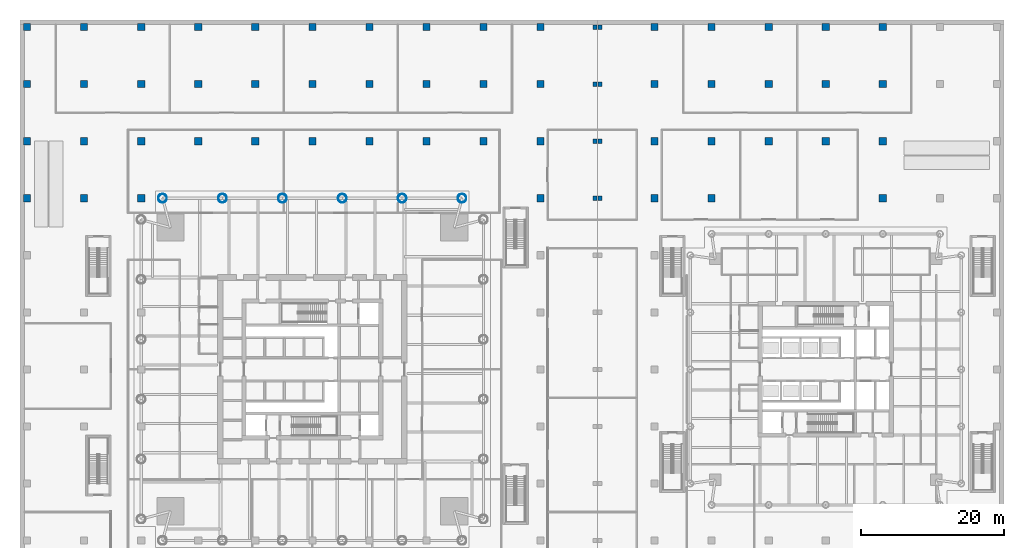
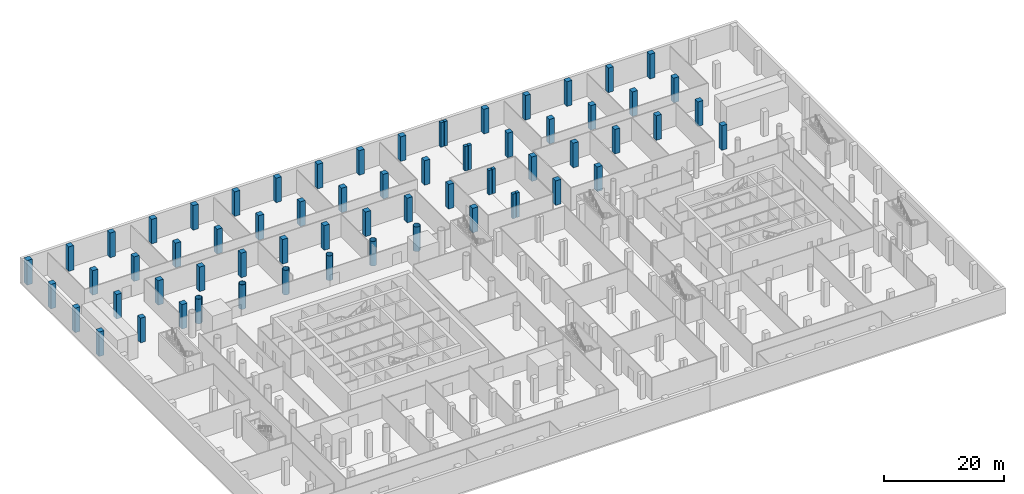
# One storey, part 3 of 22: 66 columns.
"""IFC4 building model written with IfcOpenShell, lengths in metres."""

import ifcopenshell
import ifcopenshell.guid

model = None  # the IFC model being written
_history = None  # IfcOwnerHistory: only IFC2X3 demands one
_inside = {}  # id of a spatial element -> (the spatial element, [elements in it])
_under = {}  # id of a project, library or spatial element -> (it, [spatial elements below it])
_declared = {}  # id of a project -> (the project, [libraries it declares])
_typed = {}  # id of a type object -> (the type object, [elements of that type])
_made_of = {}  # id of a material, layer set ... -> (it, [elements and type objects made of it])


def new_model(schema):
    """Start an empty IFC model of exactly this schema.

    Asked for "IFC4X3", IfcOpenShell would pick the latest addendum, in which some entities
    have other attributes; the version numbers below select the first issue.
    IFC2X3 requires an IfcOwnerHistory on every rooted entity: one is made here for all.
    """
    global model, _history
    if schema == "IFC4X3":
        model = ifcopenshell.file(schema_version=(4, 3, 0, 0))
    else:
        model = ifcopenshell.file(schema=schema)
    _inside.clear()
    _under.clear()
    _declared.clear()
    _typed.clear()
    _made_of.clear()
    _history = None
    if model.schema == "IFC2X3":
        org = make("IfcOrganization", Name="unknown")
        user = make(
            "IfcPersonAndOrganization",
            ThePerson=make("IfcPerson", FamilyName="unknown"),
            TheOrganization=org,
        )
        app = make(
            "IfcApplication",
            ApplicationDeveloper=org,
            Version="unknown",
            ApplicationFullName="unknown",
            ApplicationIdentifier="unknown",
        )
        _history = make(
            "IfcOwnerHistory",
            OwningUser=user,
            OwningApplication=app,
            ChangeAction="ADDED",
            CreationDate=0,
        )
    return model


def make(cls, **values):
    """One entity of the class cls with the attributes given. An attribute that is None is left unset."""
    return model.create_entity(
        cls, **{name: value for name, value in values.items() if value is not None}
    )


def rooted(cls, **values):
    """An entity with a GlobalId (a new one), such as an element, a storey or a relation."""
    return make(cls, GlobalId=ifcopenshell.guid.new(), OwnerHistory=_history, **values)


def si_unit(unit_type, name, prefix=None):
    """IfcSIUnit, for example si_unit("LENGTHUNIT", "METRE", prefix="MILLI")."""
    return make("IfcSIUnit", UnitType=unit_type, Prefix=prefix, Name=name)


def assignment(units):
    """IfcUnitAssignment: the units of a project."""
    return None if units is None else make("IfcUnitAssignment", Units=units)


def point(xyz):
    """IfcCartesianPoint."""
    return None if xyz is None else make("IfcCartesianPoint", Coordinates=xyz)


def direction(xyz):
    """IfcDirection."""
    return None if xyz is None else make("IfcDirection", DirectionRatios=xyz)


def frame(location, z_axis=None, x_axis=None):
    """IfcAxis2Placement3D, a coordinate frame: its origin and axes. An axis left out is left unset."""
    return make(
        "IfcAxis2Placement3D",
        Location=point(location),
        Axis=direction(z_axis),
        RefDirection=direction(x_axis),
    )


def frame_2d(location, x_axis=None):
    """IfcAxis2Placement2D, a coordinate frame in the plane: its origin and x axis."""
    return make(
        "IfcAxis2Placement2D", Location=point(location), RefDirection=direction(x_axis)
    )


def origin():
    """The frame at (0, 0, 0) with its axes left unset."""
    return frame((0.0, 0.0, 0.0))


def origin_2d():
    """The frame at (0, 0) in the plane with its x axis left unset."""
    return frame_2d((0.0, 0.0))


def place(relative_to, where):
    """IfcLocalPlacement: puts the frame where relative to a parent placement (None: the world)."""
    return make(
        "IfcLocalPlacement", PlacementRelTo=relative_to, RelativePlacement=where
    )


def context(
    kind, dimensions, precision=None, world=None, true_north=None, identifier=None
):
    """IfcGeometricRepresentationContext, for example the 3D "Model" context."""
    return make(
        "IfcGeometricRepresentationContext",
        ContextIdentifier=identifier,
        ContextType=kind,
        CoordinateSpaceDimension=dimensions,
        Precision=precision,
        WorldCoordinateSystem=world,
        TrueNorth=true_north,
    )


def subcontext(parent, identifier, kind, view, scale=None):
    """IfcGeometricRepresentationSubContext, for example "Body" below "Model"."""
    return make(
        "IfcGeometricRepresentationSubContext",
        ContextIdentifier=identifier,
        ContextType=kind,
        ParentContext=parent,
        TargetScale=scale,
        TargetView=view,
    )


def project(units=None, contexts=None):
    """IfcProject with its units and contexts."""
    return rooted(
        "IfcProject",
        Name="project",
        RepresentationContexts=contexts,
        UnitsInContext=assignment(units),
    )


def spatial(cls, under=None, at=None, **own):
    """A site, building, storey or space (cls), placed at a placement, below another one or the project."""
    s = rooted(cls, ObjectPlacement=at, **own)
    if under is not None:
        _under.setdefault(under.id(), (under, []))[1].append(s)
    return s


def profile(cls, at=None, kind="AREA", **sizes):
    """A parametric profile (cls). Its sizes go by their IFC names, for example OverallWidth=200.0."""
    return make(cls, ProfileType=kind, Position=at, **sizes)


def rectangle(**sizes):
    """IfcRectangleProfileDef."""
    return profile("IfcRectangleProfileDef", **sizes)


def hollow_circle(**sizes):
    """IfcCircleHollowProfileDef."""
    return profile("IfcCircleHollowProfileDef", **sizes)


def extrude(swept, where, along, depth):
    """IfcExtrudedAreaSolid: the profile swept, set in the frame where, extruded along a direction by depth."""
    return make(
        "IfcExtrudedAreaSolid",
        SweptArea=swept,
        Position=where,
        ExtrudedDirection=direction(along),
        Depth=depth,
    )


def shape(context_of_items, identifier, shape_type, items):
    """IfcShapeRepresentation: the items that make up one representation, for example the "Body"."""
    return make(
        "IfcShapeRepresentation",
        ContextOfItems=context_of_items,
        RepresentationIdentifier=identifier,
        RepresentationType=shape_type,
        Items=items,
    )


def material(Name=None, Category=None):
    """IfcMaterial."""
    return make("IfcMaterial", Name=Name, Category=Category)


def material_profile(
    of_material, cross_section, Name=None, Category=None, Priority=None
):
    """IfcMaterialProfile: a cross section and its material."""
    return make(
        "IfcMaterialProfile",
        Name=Name,
        Material=of_material,
        Profile=cross_section,
        Priority=Priority,
        Category=Category,
    )


def profile_set(profiles, Name=None, composite=None):
    """IfcMaterialProfileSet."""
    return make(
        "IfcMaterialProfileSet",
        Name=Name,
        MaterialProfiles=profiles,
        CompositeProfile=composite,
    )


def made_of(thing, what):
    """Note that an element or type object is made of a material, layer set ...; save() writes the relation."""
    if what is not None:
        _made_of.setdefault(what.id(), (what, []))[1].append(thing)
    return thing


def type_object(cls, material=None, **own):
    """A type object (cls), such as IfcWallType, which elements share."""
    return made_of(rooted(cls, **own), material)


def element(
    cls,
    number,
    at=None,
    inside=None,
    cuts=None,
    type_object=None,
    material=None,
    context=None,
    identifier="Body",
    shape_type=None,
    held_by="IfcProductDefinitionShape",
    body=None,
    shapes=None,
    **own,
):
    """One element of the class cls, such as IfcWall. Its Tag is "e" and its number.

    at: its placement. inside: the storey or other place that contains it. cuts: it is an
    opening in that element (IfcRelVoidsElement). A single representation is given by context,
    identifier, shape_type and body (its items); several are given by shapes. held_by: the class
    of the entity that holds the representations. save() writes the other relations.
    """
    e = rooted(cls, Tag="e%d" % number, ObjectPlacement=at, **own)
    if body is not None:
        shapes = [shape(context, identifier, shape_type, body)]
    if shapes is not None:
        e.Representation = make(held_by, Representations=shapes)
    if inside is not None:
        _inside.setdefault(inside.id(), (inside, []))[1].append(e)
    if cuts is not None:
        rooted(
            "IfcRelVoidsElement", RelatingBuildingElement=cuts, RelatedOpeningElement=e
        )
    if type_object is not None:
        _typed.setdefault(type_object.id(), (type_object, []))[1].append(e)
    return made_of(e, material)


def aggregate(whole, parts):
    """IfcRelAggregates: a whole, such as a stair, and the parts it consists of."""
    return rooted("IfcRelAggregates", RelatingObject=whole, RelatedObjects=parts)


def save(model, path):
    """Write the relations noted so far, then the file.

    IfcRelAggregates (storeys below a building ...), IfcRelContainedInSpatialStructure (elements
    in a storey), IfcRelDefinesByType, IfcRelAssociatesMaterial and IfcRelDeclares: one each for
    every whole, place, type object, material and project.
    """
    for whole, parts in _under.values():
        aggregate(whole, parts)
    for where, things in _inside.values():
        rooted(
            "IfcRelContainedInSpatialStructure",
            RelatedElements=things,
            RelatingStructure=where,
        )
    for kind, things in _typed.values():
        rooted("IfcRelDefinesByType", RelatedObjects=things, RelatingType=kind)
    for what, things in _made_of.values():
        rooted("IfcRelAssociatesMaterial", RelatedObjects=things, RelatingMaterial=what)
    for by, libraries in _declared.values():
        rooted("IfcRelDeclares", RelatingContext=by, RelatedDefinitions=libraries)
    model.write(path)


model = new_model("IFC4")

# Units and contexts
model_context = context("Model", 3, precision=1e-05, world=origin(), true_north=direction((0.0, 1.0)))
body_context = subcontext(model_context, "Body", "Model", "MODEL_VIEW")
ifc_project = project(units=[si_unit("LENGTHUNIT", "METRE"), si_unit("AREAUNIT", "SQUARE_METRE"), si_unit("VOLUMEUNIT", "CUBIC_METRE"), si_unit("PLANEANGLEUNIT", "RADIAN"), si_unit("MASSUNIT", "GRAM", prefix="KILO")], contexts=[model_context])

# Site, building, storey
site_placement = place(None, origin())
site = spatial("IfcSite", under=ifc_project, at=site_placement, CompositionType="ELEMENT")
building_placement = place(site_placement, origin())
building = spatial("IfcBuilding", under=site, at=building_placement, Name="Ostroluk Exchange", CompositionType="ELEMENT")
storey_placement = place(building_placement, frame((0.0, 0.0, -5.0)))
storey = spatial("IfcBuildingStorey", under=building, at=storey_placement, Name="B1", CompositionType="ELEMENT", Elevation=-5.0)

# Columns
ifc_material_1 = material(Name="Steel S460", Category="steel")
ifc_material_profile_1 = material_profile(ifc_material_1, hollow_circle(Radius=0.609619140625, WallThickness=0.0400390625, at=origin_2d()), Name="CHS 1219x40")
ifc_profile_set_1 = profile_set([ifc_material_profile_1], Name="Steel S460")
column_type_1 = type_object("IfcColumnType", Name="Perimeter column CHS 1219x40", PredefinedType="COLUMN", material=ifc_profile_set_1)
for number, where, z_axis, x_axis, name in (
    (1, (66.0, 70.0, 0.0), (0.0, 0.0, 1.0), (1.0, 0.0, 0.0), "T1 north face column E0"),
    (2, (24.0, 70.0, 0.0), (0.0, 0.0, 1.0), (1.0, 0.0, 0.0), "T1 north face column E1"),
    (3, (57.60009765625, 70.0, 0.0), (0.0, 0.0, 1.0), (1.0, 0.0, 0.0), "T1 north face column I1"),
    (4, (49.199951171875, 70.0, 0.0), (0.0, 0.0, 1.0), (1.0, 0.0, 0.0), "T1 north face column I2"),
    (5, (40.800048828125, 70.0, 0.0), (0.0, 0.0, 1.0), (1.0, 0.0, 0.0), "T1 north face column I3"),
    (6, (32.39990234375, 70.0, 0.0), (0.0, 0.0, 1.0), (1.0, 0.0, 0.0), "T1 north face column I4"),
):
    element("IfcColumn", number, at=place(storey_placement, frame(where, z_axis=z_axis, x_axis=x_axis)), inside=storey, type_object=column_type_1, Name=name, PredefinedType="COLUMN", context=body_context, shape_type="SweptSolid", body=[
        extrude(hollow_circle(Radius=0.609619140625, WallThickness=0.0400390625, at=origin_2d()), origin(), (0.0, 0.0, 1.0), 5.0),
    ])
ifc_material_2 = material(Name="Concrete C50/60", Category="concrete")
ifc_material_profile_2 = material_profile(ifc_material_2, rectangle(XDim=1.0, YDim=1.0, at=origin_2d()), Name="RC 1000x1000")
ifc_profile_set_2 = profile_set([ifc_material_profile_2], Name="Concrete C50/60")
column_type_2 = type_object("IfcColumnType", Name="Podium column RC 1000x1000", PredefinedType="COLUMN", material=ifc_profile_set_2)
for number, where, z_axis, x_axis, name in (
    (7, (5.0, 70.0, 0.0), (0.0, 0.0, 1.0), (1.0, 0.0, 0.0), "Podium column 5/70"),
    (8, (5.0, 78.0, 0.0), (0.0, 0.0, 1.0), (1.0, 0.0, 0.0), "Podium column 5/78"),
    (9, (5.0, 86.0, 0.0), (0.0, 0.0, 1.0), (1.0, 0.0, 0.0), "Podium column 5/86"),
    (10, (5.0, 94.0, 0.0), (0.0, 0.0, 1.0), (1.0, 0.0, 0.0), "Podium column 5/94"),
    (11, (13.0, 70.0, 0.0), (0.0, 0.0, 1.0), (1.0, 0.0, 0.0), "Podium column 13/70"),
    (12, (13.0, 78.0, 0.0), (0.0, 0.0, 1.0), (1.0, 0.0, 0.0), "Podium column 13/78"),
    (13, (13.0, 86.0, 0.0), (0.0, 0.0, 1.0), (1.0, 0.0, 0.0), "Podium column 13/86"),
    (14, (13.0, 94.0, 0.0), (0.0, 0.0, 1.0), (1.0, 0.0, 0.0), "Podium column 13/94"),
    (15, (21.0, 78.0, 0.0), (0.0, 0.0, 1.0), (1.0, 0.0, 0.0), "Podium column 21/78"),
    (16, (21.0, 86.0, 0.0), (0.0, 0.0, 1.0), (1.0, 0.0, 0.0), "Podium column 21/86"),
    (17, (21.0, 94.0, 0.0), (0.0, 0.0, 1.0), (1.0, 0.0, 0.0), "Podium column 21/94"),
    (18, (29.0, 78.0, 0.0), (0.0, 0.0, 1.0), (1.0, 0.0, 0.0), "Podium column 29/78"),
    (19, (29.0, 86.0, 0.0), (0.0, 0.0, 1.0), (1.0, 0.0, 0.0), "Podium column 29/86"),
    (20, (29.0, 94.0, 0.0), (0.0, 0.0, 1.0), (1.0, 0.0, 0.0), "Podium column 29/94"),
    (21, (37.0, 78.0, 0.0), (0.0, 0.0, 1.0), (1.0, 0.0, 0.0), "Podium column 37/78"),
    (22, (37.0, 86.0, 0.0), (0.0, 0.0, 1.0), (1.0, 0.0, 0.0), "Podium column 37/86"),
    (23, (37.0, 94.0, 0.0), (0.0, 0.0, 1.0), (1.0, 0.0, 0.0), "Podium column 37/94"),
    (24, (45.0, 78.0, 0.0), (0.0, 0.0, 1.0), (1.0, 0.0, 0.0), "Podium column 45/78"),
    (25, (45.0, 86.0, 0.0), (0.0, 0.0, 1.0), (1.0, 0.0, 0.0), "Podium column 45/86"),
    (26, (45.0, 94.0, 0.0), (0.0, 0.0, 1.0), (1.0, 0.0, 0.0), "Podium column 45/94"),
    (27, (53.0, 78.0, 0.0), (0.0, 0.0, 1.0), (1.0, 0.0, 0.0), "Podium column 53/78"),
    (28, (53.0, 86.0, 0.0), (0.0, 0.0, 1.0), (1.0, 0.0, 0.0), "Podium column 53/86"),
    (29, (53.0, 94.0, 0.0), (0.0, 0.0, 1.0), (1.0, 0.0, 0.0), "Podium column 53/94"),
    (30, (61.0, 78.0, 0.0), (0.0, 0.0, 1.0), (1.0, 0.0, 0.0), "Podium column 61/78"),
    (31, (61.0, 86.0, 0.0), (0.0, 0.0, 1.0), (1.0, 0.0, 0.0), "Podium column 61/86"),
    (32, (61.0, 94.0, 0.0), (0.0, 0.0, 1.0), (1.0, 0.0, 0.0), "Podium column 61/94"),
    (33, (69.0, 78.0, 0.0), (0.0, 0.0, 1.0), (1.0, 0.0, 0.0), "Podium column 69/78"),
    (34, (69.0, 86.0, 0.0), (0.0, 0.0, 1.0), (1.0, 0.0, 0.0), "Podium column 69/86"),
    (35, (69.0, 94.0, 0.0), (0.0, 0.0, 1.0), (1.0, 0.0, 0.0), "Podium column 69/94"),
    (36, (77.0, 70.0, 0.0), (0.0, 0.0, 1.0), (1.0, 0.0, 0.0), "Podium column 77/70"),
    (37, (77.0, 78.0, 0.0), (0.0, 0.0, 1.0), (1.0, 0.0, 0.0), "Podium column 77/78"),
    (38, (77.0, 86.0, 0.0), (0.0, 0.0, 1.0), (1.0, 0.0, 0.0), "Podium column 77/86"),
    (39, (77.0, 94.0, 0.0), (0.0, 0.0, 1.0), (1.0, 0.0, 0.0), "Podium column 77/94"),
    (40, (93.0, 70.0, 0.0), (0.0, 0.0, 1.0), (1.0, 0.0, 0.0), "Podium column 93/70"),
    (41, (93.0, 78.0, 0.0), (0.0, 0.0, 1.0), (1.0, 0.0, 0.0), "Podium column 93/78"),
    (42, (93.0, 86.0, 0.0), (0.0, 0.0, 1.0), (1.0, 0.0, 0.0), "Podium column 93/86"),
    (43, (93.0, 94.0, 0.0), (0.0, 0.0, 1.0), (1.0, 0.0, 0.0), "Podium column 93/94"),
    (44, (101.0, 70.0, 0.0), (0.0, 0.0, 1.0), (1.0, 0.0, 0.0), "Podium column 101/70"),
    (45, (101.0, 78.0, 0.0), (0.0, 0.0, 1.0), (1.0, 0.0, 0.0), "Podium column 101/78"),
    (46, (101.0, 86.0, 0.0), (0.0, 0.0, 1.0), (1.0, 0.0, 0.0), "Podium column 101/86"),
    (47, (101.0, 94.0, 0.0), (0.0, 0.0, 1.0), (1.0, 0.0, 0.0), "Podium column 101/94"),
    (48, (109.0, 78.0, 0.0), (0.0, 0.0, 1.0), (1.0, 0.0, 0.0), "Podium column 109/78"),
    (49, (109.0, 86.0, 0.0), (0.0, 0.0, 1.0), (1.0, 0.0, 0.0), "Podium column 109/86"),
    (50, (109.0, 94.0, 0.0), (0.0, 0.0, 1.0), (1.0, 0.0, 0.0), "Podium column 109/94"),
    (51, (117.0, 78.0, 0.0), (0.0, 0.0, 1.0), (1.0, 0.0, 0.0), "Podium column 117/78"),
    (52, (117.0, 86.0, 0.0), (0.0, 0.0, 1.0), (1.0, 0.0, 0.0), "Podium column 117/86"),
    (53, (117.0, 94.0, 0.0), (0.0, 0.0, 1.0), (1.0, 0.0, 0.0), "Podium column 117/94"),
    (54, (125.0, 70.0, 0.0), (0.0, 0.0, 1.0), (1.0, 0.0, 0.0), "Podium column 125/70"),
    (55, (125.0, 78.0, 0.0), (0.0, 0.0, 1.0), (1.0, 0.0, 0.0), "Podium column 125/78"),
    (56, (125.0, 86.0, 0.0), (0.0, 0.0, 1.0), (1.0, 0.0, 0.0), "Podium column 125/86"),
    (57, (125.0, 94.0, 0.0), (0.0, 0.0, 1.0), (1.0, 0.0, 0.0), "Podium column 125/94"),
    (58, (21.0, 70.0, 0.0), (0.0, 0.0, 1.0), (1.0, 0.0, 0.0), "Podium column 21/70"),
):
    element("IfcColumn", number, at=place(storey_placement, frame(where, z_axis=z_axis, x_axis=x_axis)), inside=storey, type_object=column_type_2, Name=name, PredefinedType="COLUMN", context=body_context, shape_type="SweptSolid", body=[
        extrude(rectangle(XDim=1.0, YDim=1.0, at=origin_2d()), origin(), (0.0, 0.0, 1.0), 5.0),
    ])
ifc_material_3 = material(Name="Concrete C50/60", Category="concrete")
ifc_material_profile_3 = material_profile(ifc_material_3, rectangle(XDim=0.60009765625, YDim=0.60009765625, at=origin_2d()), Name="RC 600x600")
ifc_profile_set_3 = profile_set([ifc_material_profile_3], Name="Concrete C50/60")
column_type_3 = type_object("IfcColumnType", Name="Podium column RC 600x600", PredefinedType="COLUMN", material=ifc_profile_set_3)
for number, where, z_axis, x_axis, name in (
    (59, (84.64990234375, 70.0, 0.0), (0.0, 0.0, 1.0), (1.0, 0.0, 0.0), "Podium column 85W/70"),
    (60, (85.35009765625, 70.0, 0.0), (0.0, 0.0, 1.0), (1.0, 0.0, 0.0), "Podium column 85E/70"),
    (61, (84.64990234375, 78.0, 0.0), (0.0, 0.0, 1.0), (1.0, 0.0, 0.0), "Podium column 85W/78"),
    (62, (85.35009765625, 78.0, 0.0), (0.0, 0.0, 1.0), (1.0, 0.0, 0.0), "Podium column 85E/78"),
    (63, (84.64990234375, 86.0, 0.0), (0.0, 0.0, 1.0), (1.0, 0.0, 0.0), "Podium column 85W/86"),
    (64, (85.35009765625, 86.0, 0.0), (0.0, 0.0, 1.0), (1.0, 0.0, 0.0), "Podium column 85E/86"),
    (65, (84.64990234375, 94.0, 0.0), (0.0, 0.0, 1.0), (1.0, 0.0, 0.0), "Podium column 85W/94"),
    (66, (85.35009765625, 94.0, 0.0), (0.0, 0.0, 1.0), (1.0, 0.0, 0.0), "Podium column 85E/94"),
):
    element("IfcColumn", number, at=place(storey_placement, frame(where, z_axis=z_axis, x_axis=x_axis)), inside=storey, type_object=column_type_3, Name=name, PredefinedType="COLUMN", context=body_context, shape_type="SweptSolid", body=[
        extrude(rectangle(XDim=0.60009765625, YDim=0.60009765625, at=origin_2d()), origin(), (0.0, 0.0, 1.0), 5.0),
    ])

save(model, "model.ifc")
